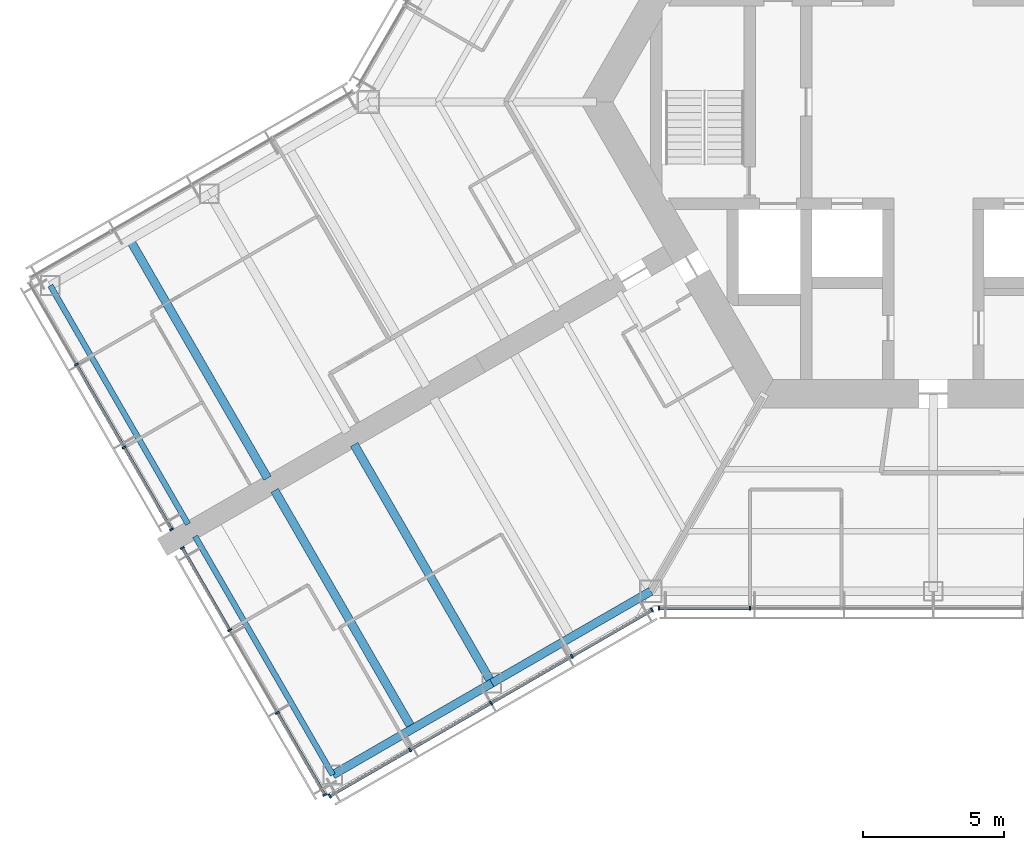
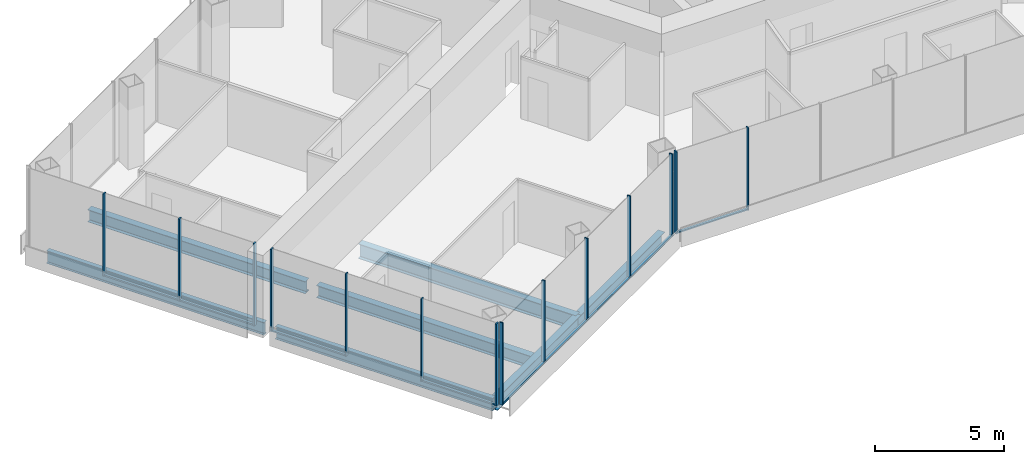
# One storey, part 2 of 19: 23 members, 7 beams, 4 elements without a shape of their own.
"""IFC4 building model written with IfcOpenShell, lengths in metres."""

from ifc_helpers import new_model, si_unit, direction, frame, origin, origin_2d, place, context, subcontext, project, spatial, rectangle, i_section, extrude, material, material_profile, profile_set, type_object, element, aggregate, save


model = new_model("IFC4")

# Units and contexts
model_context = context("Model", 3, precision=1e-05, world=origin(), true_north=direction((0.0, 1.0)))
body_context = subcontext(model_context, "Body", "Model", "MODEL_VIEW")
ifc_project = project(units=[si_unit("LENGTHUNIT", "METRE"), si_unit("AREAUNIT", "SQUARE_METRE"), si_unit("VOLUMEUNIT", "CUBIC_METRE"), si_unit("PLANEANGLEUNIT", "RADIAN"), si_unit("MASSUNIT", "GRAM", prefix="KILO")], contexts=[model_context])

# Site, building, storey
site_placement = place(None, origin())
site = spatial("IfcSite", under=ifc_project, at=site_placement, CompositionType="ELEMENT")
building_placement = place(site_placement, origin())
building = spatial("IfcBuilding", under=site, at=building_placement, Name="Kasaneha Research Tower", CompositionType="ELEMENT")
storey_placement = place(building_placement, frame((0.0, 0.0, 164.300048828125)))
storey = spatial("IfcBuildingStorey", under=building, at=storey_placement, Name="L41", CompositionType="ELEMENT", Elevation=164.300048828125)

# Beams
ifc_material_1 = material(Name="Steel SN490B", Category="steel")
ifc_material_profile_1 = material_profile(ifc_material_1, i_section(OverallWidth=0.300048828125, OverallDepth=0.58203125, WebThickness=0.011962890625, FlangeThickness=0.01708984375, FilletRadius=0.012939453125, at=origin_2d()), Name="H-582x300x12x17")
ifc_profile_set_1 = profile_set([ifc_material_profile_1], Name="Steel SN490B")
beam_type_1 = type_object("IfcBeamType", Name="B2-3 secondary beam H-582x300x12x17", PredefinedType="JOIST", material=ifc_profile_set_1)
for number, where, z_axis, x_axis, name in (
    (1, (-28.44384765625, -4.875, -0.441162109375), (0.499995560238, -0.866027967067, 0.0), (0.866027967067, 0.499995560238, 0.0), "Secondary beam WBBP2 L41"),
    (2, (-18.44384765625, -22.195556640625, -0.441162109375), (-0.499995560238, 0.866027967067, 0.0), (-0.866027967067, -0.499995560238, 0.0), "Secondary beam WBBN2 L41"),
):
    element("IfcBeam", number, at=place(storey_placement, frame(where, z_axis=z_axis, x_axis=x_axis)), inside=storey, type_object=beam_type_1, Name=name, PredefinedType="JOIST", context=body_context, shape_type="SweptSolid", body=[
        extrude(i_section(OverallWidth=0.300048828125, OverallDepth=0.58203125, WebThickness=0.011962890625, FlangeThickness=0.01708984375, FilletRadius=0.012939453125, at=origin_2d()), origin(), (0.0, 0.0, 1.0), 9.75),
    ])

# Curtain wall, members
ifc_material_2 = material(Name="Glass and aluminium", Category="aluminium")
curtain_wall_type = type_object("IfcCurtainWallType", Name="Mid-rise office curtain wall", PredefinedType="USERDEFINED", material=ifc_material_2)
curtain_wall_1_placement = place(storey_placement, origin())
curtain_wall_1 = element("IfcCurtainWall", 3, at=curtain_wall_1_placement, inside=storey, type_object=curtain_wall_type, Name="CW-O2 L41 run 01a", ObjectType="UNITISED CURTAIN WALL", PredefinedType="USERDEFINED")
ifc_material_3 = material(Name="Aluminium 6063-T6", Category="aluminium")
ifc_material_profile_2 = material_profile(ifc_material_3, rectangle(XDim=0.06005859375, YDim=0.14990234375, at=origin_2d()), Name="CW-O2 mullion 60x150")
ifc_profile_set_2 = profile_set([ifc_material_profile_2], Name="Aluminium 6063-T6")
member_type_1 = type_object("IfcMemberType", Name="CW-O2 mullion", PredefinedType="MULLION", material=ifc_profile_set_2)
member_1_placement = place(storey_placement, frame((-9.709228515625, -17.92041015625, 0.0), z_axis=(0.0, 0.0, 1.0), x_axis=(1.0, 0.0, 0.0)))
member_1 = element("IfcMember", 4, at=member_1_placement, type_object=member_type_1, Name="CW-O2 mullion 1", PredefinedType="MULLION", context=body_context, shape_type="SweptSolid", body=[
    extrude(rectangle(XDim=0.06005859375, YDim=0.14990234375, at=origin_2d()), origin(), (0.0, 0.0, 1.0), 3.89990234375),
])
member_2_placement = place(storey_placement, frame((-6.492919921875, -17.92041015625, 0.0), z_axis=(0.0, 0.0, 1.0), x_axis=(1.0, 0.0, 0.0)))
member_2 = element("IfcMember", 5, at=member_2_placement, type_object=member_type_1, Name="CW-O2 mullion 2", PredefinedType="MULLION", context=body_context, shape_type="SweptSolid", body=[
    extrude(rectangle(XDim=0.06005859375, YDim=0.14990234375, at=origin_2d()), origin(), (0.0, 0.0, 1.0), 3.89990234375),
])

curtain_wall_2_placement = place(storey_placement, origin())
curtain_wall_2 = element("IfcCurtainWall", 6, at=curtain_wall_2_placement, inside=storey, type_object=curtain_wall_type, Name="CW-O2 L41 run 10a", ObjectType="UNITISED CURTAIN WALL", PredefinedType="USERDEFINED")
member_3_placement = place(storey_placement, frame((-30.336181640625, -9.297119140625, 0.0), z_axis=(0.0, 0.0, 1.0), x_axis=(0.500000011442, -0.866025397178, 0.0)))
member_3 = element("IfcMember", 7, at=member_3_placement, type_object=member_type_1, Name="CW-O2 mullion 2", PredefinedType="MULLION", context=body_context, shape_type="SweptSolid", body=[
    extrude(rectangle(XDim=0.06005859375, YDim=0.14990234375, at=origin_2d()), origin(), (0.0, 0.0, 1.0), 3.89990234375),
])
member_4_placement = place(storey_placement, frame((-28.64453125, -12.22705078125, 0.0), z_axis=(0.0, 0.0, 1.0), x_axis=(0.500000011442, -0.866025397178, 0.0)))
member_4 = element("IfcMember", 8, at=member_4_placement, type_object=member_type_1, Name="CW-O2 mullion 3", PredefinedType="MULLION", context=body_context, shape_type="SweptSolid", body=[
    extrude(rectangle(XDim=0.06005859375, YDim=0.14990234375, at=origin_2d()), origin(), (0.0, 0.0, 1.0), 3.89990234375),
])
member_5_placement = place(storey_placement, frame((-26.968017578125, -15.131103515625, 0.0), z_axis=(0.0, 0.0, 1.0), x_axis=(0.500000011442, -0.866025397178, 0.0)))
member_5 = element("IfcMember", 9, at=member_5_placement, type_object=member_type_1, Name="CW-O2 mullion 4", PredefinedType="MULLION", context=body_context, shape_type="SweptSolid", body=[
    extrude(rectangle(XDim=0.06005859375, YDim=0.14990234375, at=origin_2d()), origin(), (0.0, 0.0, 1.0), 3.89990234375),
])

curtain_wall_3_placement = place(storey_placement, origin())
curtain_wall_3 = element("IfcCurtainWall", 10, at=curtain_wall_3_placement, inside=storey, type_object=curtain_wall_type, Name="CW-O2 L41 run 11a", ObjectType="UNITISED CURTAIN WALL", PredefinedType="USERDEFINED")
member_6_placement = place(storey_placement, frame((-26.587890625, -15.789306640625, 0.0), z_axis=(0.0, 0.0, 1.0), x_axis=(0.500000011442, -0.866025397178, 0.0)))
member_6 = element("IfcMember", 11, at=member_6_placement, type_object=member_type_1, Name="CW-O2 mullion 1", PredefinedType="MULLION", context=body_context, shape_type="SweptSolid", body=[
    extrude(rectangle(XDim=0.06005859375, YDim=0.14990234375, at=origin_2d()), origin(), (0.0, 0.0, 1.0), 3.89990234375),
])
member_7_placement = place(storey_placement, frame((-24.911376953125, -18.693359375, 0.0), z_axis=(0.0, 0.0, 1.0), x_axis=(0.500000011442, -0.866025397178, 0.0)))
member_7 = element("IfcMember", 12, at=member_7_placement, type_object=member_type_1, Name="CW-O2 mullion 2", PredefinedType="MULLION", context=body_context, shape_type="SweptSolid", body=[
    extrude(rectangle(XDim=0.06005859375, YDim=0.14990234375, at=origin_2d()), origin(), (0.0, 0.0, 1.0), 3.89990234375),
])
member_8_placement = place(storey_placement, frame((-23.2197265625, -21.62353515625, 0.0), z_axis=(0.0, 0.0, 1.0), x_axis=(0.500000011442, -0.866025397178, 0.0)))
member_8 = element("IfcMember", 13, at=member_8_placement, type_object=member_type_1, Name="CW-O2 mullion 3", PredefinedType="MULLION", context=body_context, shape_type="SweptSolid", body=[
    extrude(rectangle(XDim=0.06005859375, YDim=0.14990234375, at=origin_2d()), origin(), (0.0, 0.0, 1.0), 3.89990234375),
])
member_9_placement = place(storey_placement, frame((-21.54296875, -24.527587890625, 0.0), z_axis=(0.0, 0.0, 1.0), x_axis=(0.500000011442, -0.866025397178, 0.0)))
member_9 = element("IfcMember", 14, at=member_9_placement, type_object=member_type_1, Name="CW-O2 mullion 4", PredefinedType="MULLION", context=body_context, shape_type="SweptSolid", body=[
    extrude(rectangle(XDim=0.06005859375, YDim=0.14990234375, at=origin_2d()), origin(), (0.0, 0.0, 1.0), 3.89990234375),
])

curtain_wall_4_placement = place(storey_placement, origin())
curtain_wall_4 = element("IfcCurtainWall", 15, at=curtain_wall_4_placement, inside=storey, type_object=curtain_wall_type, Name="CW-O2 L41 run 12a", ObjectType="UNITISED CURTAIN WALL", PredefinedType="USERDEFINED")
member_10_placement = place(storey_placement, frame((-21.365478515625, -24.5751953125, 0.0), z_axis=(0.0, 0.0, 1.0), x_axis=(0.866025411464, 0.499999986699, 0.0)))
member_10 = element("IfcMember", 16, at=member_10_placement, type_object=member_type_1, Name="CW-O2 mullion 1", PredefinedType="MULLION", context=body_context, shape_type="SweptSolid", body=[
    extrude(rectangle(XDim=0.06005859375, YDim=0.14990234375, at=origin_2d()), origin(), (0.0, 0.0, 1.0), 3.89990234375),
])
member_11_placement = place(storey_placement, frame((-18.52490234375, -22.935302734375, 0.0), z_axis=(0.0, 0.0, 1.0), x_axis=(0.866025411464, 0.499999986699, 0.0)))
member_11 = element("IfcMember", 17, at=member_11_placement, type_object=member_type_1, Name="CW-O2 mullion 2", PredefinedType="MULLION", context=body_context, shape_type="SweptSolid", body=[
    extrude(rectangle(XDim=0.06005859375, YDim=0.14990234375, at=origin_2d()), origin(), (0.0, 0.0, 1.0), 3.89990234375),
])
member_12_placement = place(storey_placement, frame((-15.65869140625, -21.2802734375, 0.0), z_axis=(0.0, 0.0, 1.0), x_axis=(0.866025411464, 0.499999986699, 0.0)))
member_12 = element("IfcMember", 18, at=member_12_placement, type_object=member_type_1, Name="CW-O2 mullion 3", PredefinedType="MULLION", context=body_context, shape_type="SweptSolid", body=[
    extrude(rectangle(XDim=0.06005859375, YDim=0.14990234375, at=origin_2d()), origin(), (0.0, 0.0, 1.0), 3.89990234375),
])
member_13_placement = place(storey_placement, frame((-12.792236328125, -19.62548828125, 0.0), z_axis=(0.0, 0.0, 1.0), x_axis=(0.866025411464, 0.499999986699, 0.0)))
member_13 = element("IfcMember", 19, at=member_13_placement, type_object=member_type_1, Name="CW-O2 mullion 4", PredefinedType="MULLION", context=body_context, shape_type="SweptSolid", body=[
    extrude(rectangle(XDim=0.06005859375, YDim=0.14990234375, at=origin_2d()), origin(), (0.0, 0.0, 1.0), 3.89990234375),
])
member_14_placement = place(storey_placement, frame((-9.951904296875, -17.985595703125, 0.0), z_axis=(0.0, 0.0, 1.0), x_axis=(0.866025411464, 0.499999986699, 0.0)))
member_14 = element("IfcMember", 20, at=member_14_placement, type_object=member_type_1, Name="CW-O2 mullion 5", PredefinedType="MULLION", context=body_context, shape_type="SweptSolid", body=[
    extrude(rectangle(XDim=0.06005859375, YDim=0.14990234375, at=origin_2d()), origin(), (0.0, 0.0, 1.0), 3.89990234375),
])

# Member
ifc_material_4 = material(Name="Aluminium 6063-T6", Category="aluminium")
ifc_material_profile_3 = material_profile(ifc_material_4, rectangle(XDim=0.110107421875, YDim=0.06005859375, at=origin_2d()), Name="CW-O2 transom 110x60")
ifc_profile_set_3 = profile_set([ifc_material_profile_3], Name="Aluminium 6063-T6")
member_type_2 = type_object("IfcMemberType", Name="CW-O2 transom", PredefinedType="USERDEFINED", material=ifc_profile_set_3)
member_15_placement = place(storey_placement, frame((-9.67919921875, -17.92041015625, 0.030029296875), z_axis=(1.0, 0.0, 0.0), x_axis=(0.0, 1.0, 0.0)))
member_15 = element("IfcMember", 21, at=member_15_placement, type_object=member_type_2, Name="CW-O2 transom 1", ObjectType="TRANSOM", PredefinedType="USERDEFINED", context=body_context, shape_type="SweptSolid", body=[
    extrude(rectangle(XDim=0.110107421875, YDim=0.06005859375, at=origin_2d()), origin(), (0.0, 0.0, 1.0), 3.156494140625),
])

aggregate(curtain_wall_1, [member_1, member_2, member_15])

member_16_placement = place(storey_placement, frame((-30.3212890625, -9.322998046875, 0.030029296875), z_axis=(0.499978935311, -0.866037565146, 0.0), x_axis=(0.866037565146, 0.499978935311, 0.0)))
member_16 = element("IfcMember", 22, at=member_16_placement, type_object=member_type_2, Name="CW-O2 transom 2", ObjectType="TRANSOM", PredefinedType="USERDEFINED", context=body_context, shape_type="SweptSolid", body=[
    extrude(rectangle(XDim=0.110107421875, YDim=0.06005859375, at=origin_2d()), origin(), (0.0, 0.0, 1.0), 3.323486328125),
])

member_17_placement = place(storey_placement, frame((-28.629638671875, -12.253173828125, 0.030029296875), z_axis=(0.500021914551, -0.866012751043, 0.0), x_axis=(0.866012751043, 0.500021914551, 0.0)))
member_17 = element("IfcMember", 23, at=member_17_placement, type_object=member_type_2, Name="CW-O2 transom 3", ObjectType="TRANSOM", PredefinedType="USERDEFINED", context=body_context, shape_type="SweptSolid", body=[
    extrude(rectangle(XDim=0.110107421875, YDim=0.06005859375, at=origin_2d()), origin(), (0.0, 0.0, 1.0), 3.293212890625),
])

aggregate(curtain_wall_2, [member_3, member_4, member_5, member_16, member_17])

member_18_placement = place(storey_placement, frame((-26.572998046875, -15.8154296875, 0.030029296875), z_axis=(0.500021914551, -0.866012751043, 0.0), x_axis=(0.866012751043, 0.500021914551, 0.0)))
member_18 = element("IfcMember", 24, at=member_18_placement, type_object=member_type_2, Name="CW-O2 transom 1", ObjectType="TRANSOM", PredefinedType="USERDEFINED", context=body_context, shape_type="SweptSolid", body=[
    extrude(rectangle(XDim=0.110107421875, YDim=0.06005859375, at=origin_2d()), origin(), (0.0, 0.0, 1.0), 3.293212890625),
])

member_19_placement = place(storey_placement, frame((-23.20458984375, -21.6494140625, 0.030029296875), z_axis=(0.500021914551, -0.866012751043, 0.0), x_axis=(0.866012751043, 0.500021914551, 0.0)))
member_19 = element("IfcMember", 25, at=member_19_placement, type_object=member_type_2, Name="CW-O2 transom 3", ObjectType="TRANSOM", PredefinedType="USERDEFINED", context=body_context, shape_type="SweptSolid", body=[
    extrude(rectangle(XDim=0.110107421875, YDim=0.06005859375, at=origin_2d()), origin(), (0.0, 0.0, 1.0), 3.293212890625),
])

aggregate(curtain_wall_3, [member_6, member_7, member_8, member_9, member_18, member_19])

member_20_placement = place(storey_placement, frame((-21.33935546875, -24.56005859375, 0.030029296875), z_axis=(0.866022692473, 0.500004696101, 0.0), x_axis=(-0.500004696101, 0.866022692473, 0.0)))
member_20 = element("IfcMember", 26, at=member_20_placement, type_object=member_type_2, Name="CW-O2 transom 1", ObjectType="TRANSOM", PredefinedType="USERDEFINED", context=body_context, shape_type="SweptSolid", body=[
    extrude(rectangle(XDim=0.110107421875, YDim=0.06005859375, at=origin_2d()), origin(), (0.0, 0.0, 1.0), 3.2197265625),
])

member_21_placement = place(storey_placement, frame((-18.4990234375, -22.920166015625, 0.030029296875), z_axis=(0.86604797581, 0.499960902066, 0.0), x_axis=(-0.499960902066, 0.86604797581, 0.0)))
member_21 = element("IfcMember", 27, at=member_21_placement, type_object=member_type_2, Name="CW-O2 transom 2", ObjectType="TRANSOM", PredefinedType="USERDEFINED", context=body_context, shape_type="SweptSolid", body=[
    extrude(rectangle(XDim=0.110107421875, YDim=0.06005859375, at=origin_2d()), origin(), (0.0, 0.0, 1.0), 3.249755859375),
])

member_22_placement = place(storey_placement, frame((-15.632568359375, -21.265380859375, 0.030029296875), z_axis=(0.866015446554, 0.500017246033, 0.0), x_axis=(-0.500017246033, 0.866015446554, 0.0)))
member_22 = element("IfcMember", 28, at=member_22_placement, type_object=member_type_2, Name="CW-O2 transom 3", ObjectType="TRANSOM", PredefinedType="USERDEFINED", context=body_context, shape_type="SweptSolid", body=[
    extrude(rectangle(XDim=0.110107421875, YDim=0.06005859375, at=origin_2d()), origin(), (0.0, 0.0, 1.0), 3.25),
])

member_23_placement = place(storey_placement, frame((-12.76611328125, -19.6103515625, 0.030029296875), z_axis=(0.866022692473, 0.500004696101, 0.0), x_axis=(-0.500004696101, 0.866022692473, 0.0)))
member_23 = element("IfcMember", 29, at=member_23_placement, type_object=member_type_2, Name="CW-O2 transom 4", ObjectType="TRANSOM", PredefinedType="USERDEFINED", context=body_context, shape_type="SweptSolid", body=[
    extrude(rectangle(XDim=0.110107421875, YDim=0.06005859375, at=origin_2d()), origin(), (0.0, 0.0, 1.0), 3.2197265625),
])

aggregate(curtain_wall_4, [member_10, member_11, member_12, member_13, member_14, member_20, member_21, member_22, member_23])

# Beams
ifc_material_5 = material(Name="Steel SN490B", Category="steel")
ifc_material_profile_4 = material_profile(ifc_material_5, i_section(OverallWidth=0.300048828125, OverallDepth=0.699951171875, WebThickness=0.012939453125, FlangeThickness=0.02392578125, FilletRadius=0.01806640625, at=origin_2d()), Name="H-700x300x13x24")
ifc_profile_set_4 = profile_set([ifc_material_profile_4], Name="Steel SN490B")
beam_type_2 = type_object("IfcBeamType", Name="G4-3 wing girder H-700x300x13x24", PredefinedType="BEAM", material=ifc_profile_set_4)
beam_placement = place(storey_placement, frame((-15.629150390625, -20.570556640625, -0.5), z_axis=(-0.499995560238, 0.866027967067, 0.0), x_axis=(-0.866027967067, -0.499995560238, 0.0)))
element("IfcBeam", 30, at=beam_placement, inside=storey, type_object=beam_type_2, Name="Wing girder WGBN L41", PredefinedType="BEAM", context=body_context, shape_type="SweptSolid", body=[
    extrude(i_section(OverallWidth=0.300048828125, OverallDepth=0.699951171875, WebThickness=0.012939453125, FlangeThickness=0.02392578125, FilletRadius=0.01806640625, at=origin_2d()), origin(), (0.0, 0.0, 1.0), 9.75),
])
ifc_material_6 = material(Name="Steel SN490B", Category="steel")
ifc_material_profile_5 = material_profile(ifc_material_6, i_section(OverallWidth=0.300048828125, OverallDepth=0.58203125, WebThickness=0.011962890625, FlangeThickness=0.01708984375, FilletRadius=0.012939453125, at=origin_2d()), Name="H-582x300x12x17")
ifc_profile_set_5 = profile_set([ifc_material_profile_5], Name="Steel SN490B")
beam_type_3 = type_object("IfcBeamType", Name="SB2-3 spandrel beam H-582x300x12x17", PredefinedType="SPANDREL", material=ifc_profile_set_5)
for number, where, z_axis, x_axis, name in (
    (31, (-10.0, -17.320556640625, -0.441162109375), (-0.866024837091, -0.50000098154, 0.0), (0.50000098154, -0.866024837091, 0.0), "Spandrel beam WSBN1 L41"),
    (32, (-15.629150390625, -20.570556640625, -0.441162109375), (-0.866024837091, -0.50000098154, 0.0), (0.50000098154, -0.866024837091, 0.0), "Spandrel beam WSBN2 L41"),
):
    element("IfcBeam", number, at=place(storey_placement, frame(where, z_axis=z_axis, x_axis=x_axis)), inside=storey, type_object=beam_type_3, Name=name, PredefinedType="SPANDREL", context=body_context, shape_type="SweptSolid", body=[
        extrude(i_section(OverallWidth=0.300048828125, OverallDepth=0.58203125, WebThickness=0.011962890625, FlangeThickness=0.01708984375, FilletRadius=0.012939453125, at=origin_2d()), origin(), (0.0, 0.0, 1.0), 6.5),
    ])
ifc_material_7 = material(Name="Steel SN490B", Category="steel")
ifc_material_profile_6 = material_profile(ifc_material_7, i_section(OverallWidth=0.199951171875, OverallDepth=0.60009765625, WebThickness=0.010986328125, FlangeThickness=0.01708984375, FilletRadius=0.012939453125, at=origin_2d()), Name="H-600x200x11x17")
ifc_profile_set_6 = profile_set([ifc_material_profile_6], Name="Steel SN490B")
beam_type_4 = type_object("IfcBeamType", Name="SB3-3 spandrel beam H-600x200x11x17", PredefinedType="SPANDREL", material=ifc_profile_set_6)
for number, where, z_axis, x_axis, name in (
    (33, (-31.25830078125, -6.5, -0.449951171875), (0.499995560238, -0.866027967067, 0.0), (0.866027967067, 0.499995560238, 0.0), "Spandrel beam WTBP L41"),
    (34, (-21.25830078125, -23.820556640625, -0.449951171875), (-0.499995560238, 0.866027967067, 0.0), (-0.866027967067, -0.499995560238, 0.0), "Spandrel beam WTBN L41"),
):
    element("IfcBeam", number, at=place(storey_placement, frame(where, z_axis=z_axis, x_axis=x_axis)), inside=storey, type_object=beam_type_4, Name=name, PredefinedType="SPANDREL", context=body_context, shape_type="SweptSolid", body=[
        extrude(i_section(OverallWidth=0.199951171875, OverallDepth=0.60009765625, WebThickness=0.010986328125, FlangeThickness=0.01708984375, FilletRadius=0.012939453125, at=origin_2d()), origin(), (0.0, 0.0, 1.0), 9.75),
    ])

save(model, "model.ifc")
